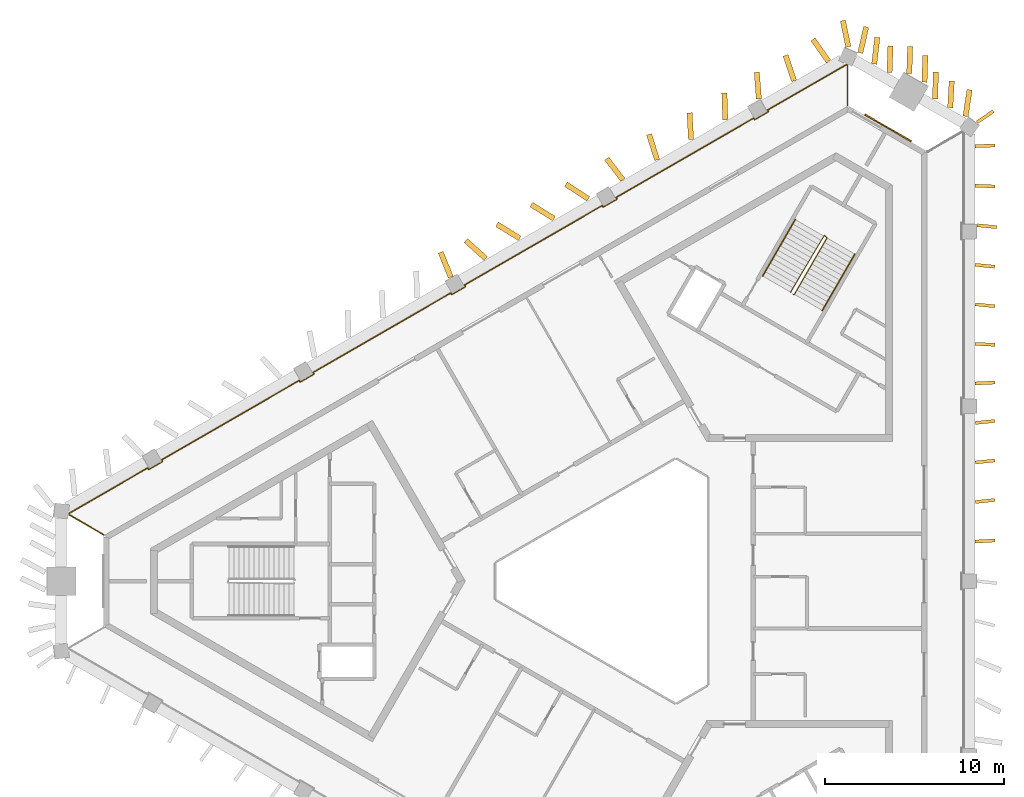
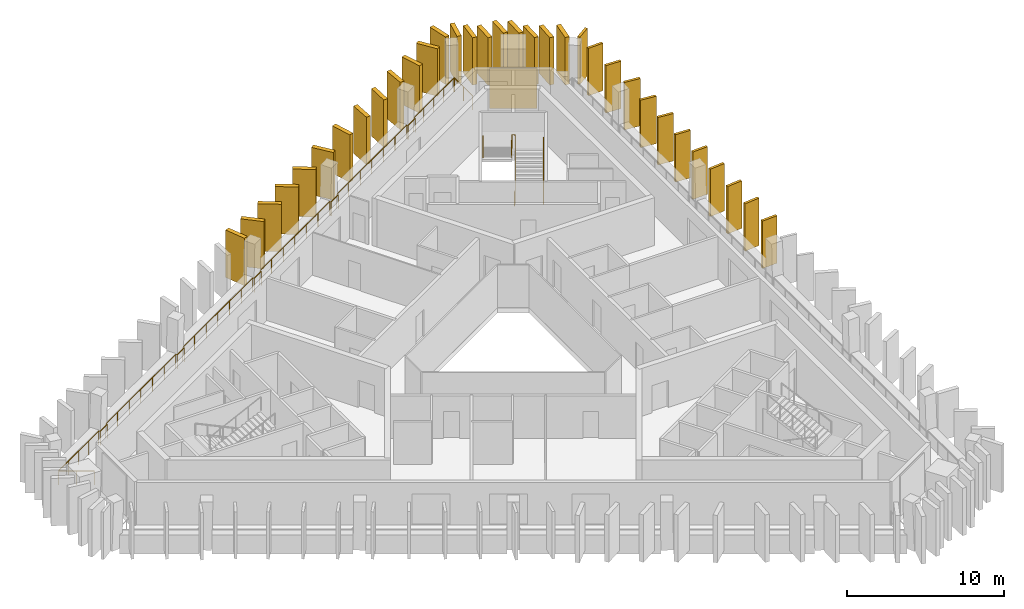
# One storey, part 9 of 9: 33 shading devices, 4 railings, 1 covering.
"""IFC4 building model written with IfcOpenShell, lengths in metres."""

from ifc_helpers import new_model, si_unit, direction, frame, frame_2d, origin, origin_2d, place, context, subcontext, project, spatial, rectangle, circle, extrude, material, layer, layer_set, type_object, element, save


model = new_model("IFC4")

# Units and contexts
model_context = context("Model", 3, precision=1e-05, world=origin(), true_north=direction((0.0, 1.0)))
body_context = subcontext(model_context, "Body", "Model", "MODEL_VIEW")
ifc_project = project(units=[si_unit("LENGTHUNIT", "METRE"), si_unit("AREAUNIT", "SQUARE_METRE"), si_unit("VOLUMEUNIT", "CUBIC_METRE"), si_unit("PLANEANGLEUNIT", "RADIAN"), si_unit("MASSUNIT", "GRAM", prefix="KILO")], contexts=[model_context])

# Site, building, storey
site_placement = place(None, origin())
site = spatial("IfcSite", under=ifc_project, at=site_placement, CompositionType="ELEMENT")
building_placement = place(site_placement, origin())
building = spatial("IfcBuilding", under=site, at=building_placement, Name="Jabali Bay Hotel Tower and Convention Centre", CompositionType="ELEMENT")
storey_placement = place(building_placement, frame((0.0, 0.0, 270.10009765625)))
storey = spatial("IfcBuildingStorey", under=building, at=storey_placement, Name="L66", CompositionType="ELEMENT", Elevation=270.10009765625)

# Railing
ifc_material_1 = material(Name="Glass", Category="glass")
railing_type_1 = type_object("IfcRailingType", Name="Loggia glass guard 1100", PredefinedType="BALUSTRADE", material=ifc_material_1)
railing_1_placement = place(storey_placement, frame((45.787109375, 82.59375, 0.0)))
element("IfcRailing", 1, at=railing_1_placement, inside=storey, type_object=railing_type_1, Name="Loggia glass guard L66", PredefinedType="BALUSTRADE", context=body_context, shape_type="SweptSolid", body=[
    extrude(circle(Radius=0.02490234375, at=origin_2d()), frame((0.0, 0.0, 1.0751953125), z_axis=(-0.866035472144, 0.499982560684, 0.0), x_axis=(-0.495705140567, -0.858626418625, 0.13052619222)), (0.0, 0.0, 1.0), 2.27490234375),
    extrude(circle(Radius=0.02490234375, at=origin_2d()), frame((-1.97021484375, 1.137451171875, 1.0751953125), z_axis=(0.124034734589, 0.992277876714, 0.0), x_axis=(-0.983788801923, 0.12297360024, 0.13052619222)), (0.0, 0.0, 1.0), 0.037353515625),
    extrude(circle(Radius=0.02490234375, at=origin_2d()), frame((-1.965576171875, 1.174560546875, 1.0751953125), z_axis=(0.866016854026, 0.500014808323, 0.0), x_axis=(-0.495737112323, 0.858607959787, 0.13052619222)), (0.0, 0.0, 1.0), 5.108154296875),
    extrude(circle(Radius=0.02490234375, at=origin_2d()), frame((2.458251953125, 3.728759765625, 1.0751953125), z_axis=(0.500074377092, -0.865982457891, 0.0), x_axis=(0.858573857916, 0.495796171473, 0.13052619222)), (0.0, 0.0, 1.0), 0.10009765625),
    extrude(circle(Radius=0.02490234375, at=origin_2d()), frame((2.50830078125, 3.64208984375, 1.0751953125), z_axis=(0.866081705922, 0.499902469156, 0.0), x_axis=(-0.495625734232, 0.858672256866, 0.13052619222)), (0.0, 0.0, 1.0), 0.900146484375),
    extrude(circle(Radius=0.02490234375, at=origin_2d()), frame((3.287841796875, 4.092041015625, 1.0751953125), z_axis=(-0.500074377092, 0.865982457891, 0.0), x_axis=(-0.858573857916, -0.495796171473, 0.13052619222)), (0.0, 0.0, 1.0), 0.10009765625),
    extrude(circle(Radius=0.02490234375, at=origin_2d()), frame((3.23779296875, 4.1787109375, 1.0751953125), z_axis=(0.866023039612, 0.500004094845, 0.0), x_axis=(-0.4957264905, 0.858614092454, 0.13052619222)), (0.0, 0.0, 1.0), 8.87939453125),
    extrude(circle(Radius=0.02490234375, at=origin_2d()), frame((10.927490234375, 8.618408203125, 1.0751953125), z_axis=(0.500074377092, -0.865982457891, 0.0), x_axis=(0.858573857916, 0.495796171473, 0.13052619222)), (0.0, 0.0, 1.0), 0.10009765625),
    extrude(circle(Radius=0.02490234375, at=origin_2d()), frame((10.9775390625, 8.53173828125, 1.0751953125), z_axis=(0.866081705922, 0.499902469156, 0.0), x_axis=(-0.495625734232, 0.858672256866, 0.13052619222)), (0.0, 0.0, 1.0), 0.900146484375),
    extrude(circle(Radius=0.02490234375, at=origin_2d()), frame((11.757080078125, 8.981689453125, 1.0751953125), z_axis=(-0.500074377092, 0.865982457891, 0.0), x_axis=(-0.858573857916, -0.495796171473, 0.13052619222)), (0.0, 0.0, 1.0), 0.10009765625),
    extrude(circle(Radius=0.02490234375, at=origin_2d()), frame((11.70703125, 9.068359375, 1.0751953125), z_axis=(0.866029913332, 0.499992189153, 0.0), x_axis=(-0.495714686663, 0.858620907369, 0.13052619222)), (0.0, 0.0, 1.0), 8.879638671875),
    extrude(circle(Radius=0.02490234375, at=origin_2d()), frame((19.39697265625, 13.508056640625, 1.0751953125), z_axis=(0.499298623879, -0.866429964967, 0.0), x_axis=(0.859017536507, 0.495027054936, 0.13052619222)), (0.0, 0.0, 1.0), 0.099853515625),
    extrude(circle(Radius=0.02490234375, at=origin_2d()), frame((19.44677734375, 13.421630859375, 1.0751953125), z_axis=(0.866081705922, 0.499902469156, 0.0), x_axis=(-0.495625734232, 0.858672256866, 0.13052619222)), (0.0, 0.0, 1.0), 0.900146484375),
    extrude(circle(Radius=0.02490234375, at=origin_2d()), frame((20.226318359375, 13.87158203125, 1.0751953125), z_axis=(-0.501132629342, 0.865370491644, 0.0), x_axis=(-0.857967127125, -0.496845370228, 0.13052619222)), (0.0, 0.0, 1.0), 0.099853515625),
    extrude(circle(Radius=0.02490234375, at=origin_2d()), frame((20.17626953125, 13.9580078125, 1.0751953125), z_axis=(0.866018007794, 0.500012810012, 0.0), x_axis=(-0.495735131107, 0.858609103685, 0.13052619222)), (0.0, 0.0, 1.0), 8.879638671875),
    extrude(circle(Radius=0.02490234375, at=origin_2d()), frame((27.8662109375, 18.39794921875, 1.0751953125), z_axis=(0.4982416694, -0.867038199201, 0.0), x_axis=(0.859620567213, 0.493979142849, 0.13052619222)), (0.0, 0.0, 1.0), 0.099853515625),
    extrude(circle(Radius=0.02490234375, at=origin_2d()), frame((27.916015625, 18.311279296875, 1.0751953125), z_axis=(0.866081705922, 0.499902469156, 0.0), x_axis=(-0.495625734232, 0.858672256866, 0.13052619222)), (0.0, 0.0, 1.0), 0.900146484375),
    extrude(circle(Radius=0.02490234375, at=origin_2d()), frame((28.695556640625, 18.76123046875, 1.0751953125), z_axis=(-0.500074377092, 0.865982457891, 0.0), x_axis=(-0.858573857916, -0.495796171473, 0.13052619222)), (0.0, 0.0, 1.0), 0.10009765625),
    extrude(circle(Radius=0.02490234375, at=origin_2d()), frame((28.6455078125, 18.847900390625, 1.0751953125), z_axis=(0.866029913332, 0.499992189153, 0.0), x_axis=(-0.495714686663, 0.858620907369, 0.13052619222)), (0.0, 0.0, 1.0), 8.879638671875),
    extrude(circle(Radius=0.02490234375, at=origin_2d()), frame((36.33544921875, 23.28759765625, 1.0751953125), z_axis=(0.500074377092, -0.865982457891, 0.0), x_axis=(0.858573857916, 0.495796171473, 0.13052619222)), (0.0, 0.0, 1.0), 0.10009765625),
    extrude(circle(Radius=0.02490234375, at=origin_2d()), frame((36.385498046875, 23.200927734375, 1.0751953125), z_axis=(0.866013897511, 0.50001992892, 0.0), x_axis=(-0.495742189112, 0.858605028566, 0.13052619222)), (0.0, 0.0, 1.0), 0.89990234375),
    extrude(circle(Radius=0.02490234375, at=origin_2d()), frame((37.164794921875, 23.65087890625, 1.0751953125), z_axis=(-0.500074377092, 0.865982457891, 0.0), x_axis=(-0.858573857916, -0.495796171473, 0.13052619222)), (0.0, 0.0, 1.0), 0.10009765625),
    extrude(circle(Radius=0.02490234375, at=origin_2d()), frame((37.11474609375, 23.737548828125, 1.0751953125), z_axis=(0.866028802348, 0.499994113469, 0.0), x_axis=(-0.495716594516, 0.85861980589, 0.13052619222)), (0.0, 0.0, 1.0), 5.1083984375),
    extrude(circle(Radius=0.02490234375, at=origin_2d()), frame((41.538818359375, 26.291748046875, 1.0751953125), z_axis=(0.920154635629, -0.391555164097, 0.0), x_axis=(0.388205355389, 0.912282585163, 0.13052619222)), (0.0, 0.0, 1.0), 0.037353515625),
    extrude(circle(Radius=0.02490234375, at=origin_2d()), frame((41.5732421875, 26.277099609375, 1.0751953125), z_axis=(0.0, -1.0, 0.0), x_axis=(0.991444861374, 0.0, 0.13052619222)), (0.0, 0.0, 1.0), 2.27490234375),
    extrude(circle(Radius=0.02001953125, at=origin_2d()), origin(), (0.0, 0.0, 1.0), 1.050048828125),
    extrude(circle(Radius=0.02001953125, at=origin_2d()), frame((-0.985107421875, 0.56884765625, 0.0)), (0.0, 0.0, 1.0), 1.050048828125),
    extrude(circle(Radius=0.02001953125, at=origin_2d()), frame((-1.97021484375, 1.137451171875, 0.0)), (0.0, 0.0, 1.0), 1.050048828125),
    extrude(circle(Radius=0.02001953125, at=origin_2d()), frame((-1.965576171875, 1.174560546875, 0.0)), (0.0, 0.0, 1.0), 1.050048828125),
    extrude(circle(Radius=0.02001953125, at=origin_2d()), frame((-0.859619140625, 1.81298828125, 0.0)), (0.0, 0.0, 1.0), 1.050048828125),
    extrude(circle(Radius=0.02001953125, at=origin_2d()), frame((0.246337890625, 2.45166015625, 0.0)), (0.0, 0.0, 1.0), 1.050048828125),
    extrude(circle(Radius=0.02001953125, at=origin_2d()), frame((1.352294921875, 3.09033203125, 0.0)), (0.0, 0.0, 1.0), 1.050048828125),
    extrude(circle(Radius=0.02001953125, at=origin_2d()), frame((2.458251953125, 3.728759765625, 0.0)), (0.0, 0.0, 1.0), 1.050048828125),
    extrude(circle(Radius=0.02001953125, at=origin_2d()), frame((2.50830078125, 3.64208984375, 0.0)), (0.0, 0.0, 1.0), 1.050048828125),
    extrude(circle(Radius=0.02001953125, at=origin_2d()), frame((3.287841796875, 4.092041015625, 0.0)), (0.0, 0.0, 1.0), 1.050048828125),
    extrude(circle(Radius=0.02001953125, at=origin_2d()), frame((3.23779296875, 4.1787109375, 0.0)), (0.0, 0.0, 1.0), 1.050048828125),
    extrude(circle(Radius=0.02001953125, at=origin_2d()), frame((4.51953125, 4.918701171875, 0.0)), (0.0, 0.0, 1.0), 1.050048828125),
    extrude(circle(Radius=0.02001953125, at=origin_2d()), frame((5.801025390625, 5.65869140625, 0.0)), (0.0, 0.0, 1.0), 1.050048828125),
    extrude(circle(Radius=0.02001953125, at=origin_2d()), frame((7.08251953125, 6.3984375, 0.0)), (0.0, 0.0, 1.0), 1.050048828125),
    extrude(circle(Radius=0.02001953125, at=origin_2d()), frame((8.3642578125, 7.138427734375, 0.0)), (0.0, 0.0, 1.0), 1.050048828125),
    extrude(circle(Radius=0.02001953125, at=origin_2d()), frame((9.64599609375, 7.87841796875, 0.0)), (0.0, 0.0, 1.0), 1.050048828125),
    extrude(circle(Radius=0.02001953125, at=origin_2d()), frame((10.927490234375, 8.618408203125, 0.0)), (0.0, 0.0, 1.0), 1.050048828125),
    extrude(circle(Radius=0.02001953125, at=origin_2d()), frame((10.9775390625, 8.53173828125, 0.0)), (0.0, 0.0, 1.0), 1.050048828125),
    extrude(circle(Radius=0.02001953125, at=origin_2d()), frame((11.757080078125, 8.981689453125, 0.0)), (0.0, 0.0, 1.0), 1.050048828125),
    extrude(circle(Radius=0.02001953125, at=origin_2d()), frame((11.70703125, 9.068359375, 0.0)), (0.0, 0.0, 1.0), 1.050048828125),
    extrude(circle(Radius=0.02001953125, at=origin_2d()), frame((12.98876953125, 9.808349609375, 0.0)), (0.0, 0.0, 1.0), 1.050048828125),
    extrude(circle(Radius=0.02001953125, at=origin_2d()), frame((14.270263671875, 10.54833984375, 0.0)), (0.0, 0.0, 1.0), 1.050048828125),
    extrude(circle(Radius=0.02001953125, at=origin_2d()), frame((15.552001953125, 11.2880859375, 0.0)), (0.0, 0.0, 1.0), 1.050048828125),
    extrude(circle(Radius=0.02001953125, at=origin_2d()), frame((16.833740234375, 12.028076171875, 0.0)), (0.0, 0.0, 1.0), 1.050048828125),
    extrude(circle(Radius=0.02001953125, at=origin_2d()), frame((18.115234375, 12.76806640625, 0.0)), (0.0, 0.0, 1.0), 1.050048828125),
    extrude(circle(Radius=0.02001953125, at=origin_2d()), frame((19.39697265625, 13.508056640625, 0.0)), (0.0, 0.0, 1.0), 1.050048828125),
    extrude(circle(Radius=0.02001953125, at=origin_2d()), frame((19.44677734375, 13.421630859375, 0.0)), (0.0, 0.0, 1.0), 1.050048828125),
    extrude(circle(Radius=0.02001953125, at=origin_2d()), frame((20.226318359375, 13.87158203125, 0.0)), (0.0, 0.0, 1.0), 1.050048828125),
    extrude(circle(Radius=0.02001953125, at=origin_2d()), frame((20.17626953125, 13.9580078125, 0.0)), (0.0, 0.0, 1.0), 1.050048828125),
    extrude(circle(Radius=0.02001953125, at=origin_2d()), frame((21.4580078125, 14.697998046875, 0.0)), (0.0, 0.0, 1.0), 1.050048828125),
    extrude(circle(Radius=0.02001953125, at=origin_2d()), frame((22.739501953125, 15.43798828125, 0.0)), (0.0, 0.0, 1.0), 1.050048828125),
    extrude(circle(Radius=0.02001953125, at=origin_2d()), frame((24.021240234375, 16.177978515625, 0.0)), (0.0, 0.0, 1.0), 1.050048828125),
    extrude(circle(Radius=0.02001953125, at=origin_2d()), frame((25.302978515625, 16.91796875, 0.0)), (0.0, 0.0, 1.0), 1.050048828125),
    extrude(circle(Radius=0.02001953125, at=origin_2d()), frame((26.58447265625, 17.657958984375, 0.0)), (0.0, 0.0, 1.0), 1.050048828125),
    extrude(circle(Radius=0.02001953125, at=origin_2d()), frame((27.8662109375, 18.39794921875, 0.0)), (0.0, 0.0, 1.0), 1.050048828125),
    extrude(circle(Radius=0.02001953125, at=origin_2d()), frame((27.916015625, 18.311279296875, 0.0)), (0.0, 0.0, 1.0), 1.050048828125),
    extrude(circle(Radius=0.02001953125, at=origin_2d()), frame((28.695556640625, 18.76123046875, 0.0)), (0.0, 0.0, 1.0), 1.050048828125),
    extrude(circle(Radius=0.02001953125, at=origin_2d()), frame((28.6455078125, 18.847900390625, 0.0)), (0.0, 0.0, 1.0), 1.050048828125),
    extrude(circle(Radius=0.02001953125, at=origin_2d()), frame((29.92724609375, 19.587890625, 0.0)), (0.0, 0.0, 1.0), 1.050048828125),
    extrude(circle(Radius=0.02001953125, at=origin_2d()), frame((31.208740234375, 20.327880859375, 0.0)), (0.0, 0.0, 1.0), 1.050048828125),
    extrude(circle(Radius=0.02001953125, at=origin_2d()), frame((32.490478515625, 21.06787109375, 0.0)), (0.0, 0.0, 1.0), 1.050048828125),
    extrude(circle(Radius=0.02001953125, at=origin_2d()), frame((33.772216796875, 21.8076171875, 0.0)), (0.0, 0.0, 1.0), 1.050048828125),
    extrude(circle(Radius=0.02001953125, at=origin_2d()), frame((35.0537109375, 22.547607421875, 0.0)), (0.0, 0.0, 1.0), 1.050048828125),
    extrude(circle(Radius=0.02001953125, at=origin_2d()), frame((36.33544921875, 23.28759765625, 0.0)), (0.0, 0.0, 1.0), 1.050048828125),
    extrude(circle(Radius=0.02001953125, at=origin_2d()), frame((36.385498046875, 23.200927734375, 0.0)), (0.0, 0.0, 1.0), 1.050048828125),
    extrude(circle(Radius=0.02001953125, at=origin_2d()), frame((37.164794921875, 23.65087890625, 0.0)), (0.0, 0.0, 1.0), 1.050048828125),
    extrude(circle(Radius=0.02001953125, at=origin_2d()), frame((37.11474609375, 23.737548828125, 0.0)), (0.0, 0.0, 1.0), 1.050048828125),
    extrude(circle(Radius=0.02001953125, at=origin_2d()), frame((38.220703125, 24.3759765625, 0.0)), (0.0, 0.0, 1.0), 1.050048828125),
    extrude(circle(Radius=0.02001953125, at=origin_2d()), frame((39.32666015625, 25.0146484375, 0.0)), (0.0, 0.0, 1.0), 1.050048828125),
    extrude(circle(Radius=0.02001953125, at=origin_2d()), frame((40.432861328125, 25.6533203125, 0.0)), (0.0, 0.0, 1.0), 1.050048828125),
    extrude(circle(Radius=0.02001953125, at=origin_2d()), frame((41.538818359375, 26.291748046875, 0.0)), (0.0, 0.0, 1.0), 1.050048828125),
    extrude(circle(Radius=0.02001953125, at=origin_2d()), frame((41.5732421875, 26.277099609375, 0.0)), (0.0, 0.0, 1.0), 1.050048828125),
    extrude(circle(Radius=0.02001953125, at=origin_2d()), frame((41.5732421875, 25.1396484375, 0.0)), (0.0, 0.0, 1.0), 1.050048828125),
    extrude(circle(Radius=0.02001953125, at=origin_2d()), frame((41.5732421875, 24.002197265625, 0.0)), (0.0, 0.0, 1.0), 1.050048828125),
])

# Shading devices
ifc_material_2 = material(Name="Precast concrete C60", Category="concrete")
ifc_layer_1 = layer(ifc_material_2, 0.179931640625)
ifc_layer_set_1 = layer_set([ifc_layer_1], Name="Precast concrete C60")
shading_device_type_1 = type_object("IfcShadingDeviceType", Name="Precast fin 3680 x 1100", PredefinedType="USERDEFINED", material=ifc_layer_set_1)
for number, where, z_axis, x_axis, name in (
    (2, (94.5, 82.210205078125, 0.010009765625), (0.0, 0.0, 1.0), (0.99843498447, 0.055924786861, 0.0), "Fin L66 012"),
    (3, (94.50439453125, 84.42041015625, 0.010009765625), (0.0, 0.0, 1.0), (0.994544300928, 0.104315068386, 0.0), "Fin L66 013"),
    (4, (94.504150390625, 86.63037109375, 0.010009765625), (0.0, 0.0, 1.0), (0.994888883713, 0.100975784539, 0.0), "Fin L66 014"),
    (5, (94.50390625, 88.840576171875, 0.010009765625), (0.0, 0.0, 1.0), (0.995023998976, 0.099635543162, 0.0), "Fin L66 015"),
):
    element("IfcShadingDevice", number, at=place(storey_placement, frame(where, z_axis=z_axis, x_axis=x_axis)), inside=storey, type_object=shading_device_type_1, Name=name, ObjectType="FIN", PredefinedType="USERDEFINED", context=body_context, shape_type="SweptSolid", body=[
        extrude(rectangle(XDim=1.10009765625, YDim=0.179931640625, at=frame_2d((0.550048828125, 0.0))), origin(), (0.0, 0.0, 1.0), 3.679931640625),
    ])
shading_device_1_placement = place(storey_placement, frame((94.4990234375, 91.05078125, 0.010009765625), z_axis=(0.0, 0.0, 1.0), x_axis=(0.999014243981, 0.044390768451, 0.0)))
element("IfcShadingDevice", 6, at=shading_device_1_placement, inside=storey, type_object=shading_device_type_1, Name="Fin L66 016", ObjectType="FIN", PredefinedType="USERDEFINED", context=body_context, shape_type="SweptSolid", body=[
    extrude(rectangle(XDim=1.099853515625, YDim=0.179931640625, at=frame_2d((0.5498046875, 0.0))), origin(), (0.0, 0.0, 1.0), 3.679931640625),
])
for number, where, z_axis, x_axis, name in (
    (7, (94.499267578125, 93.260986328125, 0.010009765625), (0.0, 0.0, 1.0), (0.998839847281, -0.048155575841, 0.0), "Fin L66 017"),
    (8, (94.50390625, 95.47119140625, 0.010009765625), (0.0, 0.0, 1.0), (0.995089783967, -0.098976370127, 0.0), "Fin L66 018"),
    (9, (94.50390625, 97.68115234375, 0.010009765625), (0.0, 0.0, 1.0), (0.995089783967, -0.098976370127, 0.0), "Fin L66 019"),
):
    element("IfcShadingDevice", number, at=place(storey_placement, frame(where, z_axis=z_axis, x_axis=x_axis)), inside=storey, type_object=shading_device_type_1, Name=name, ObjectType="FIN", PredefinedType="USERDEFINED", context=body_context, shape_type="SweptSolid", body=[
        extrude(rectangle(XDim=1.10009765625, YDim=0.179931640625, at=frame_2d((0.550048828125, 0.0))), origin(), (0.0, 0.0, 1.0), 3.679931640625),
    ])
shading_device_2_placement = place(storey_placement, frame((94.611572265625, 99.891357421875, 0.010009765625), z_axis=(0.0, 0.0, 1.0), x_axis=(0.995021795338, -0.099657547648, 0.0)))
element("IfcShadingDevice", 10, at=shading_device_2_placement, inside=storey, type_object=shading_device_type_1, Name="Fin L66 020", ObjectType="FIN", PredefinedType="USERDEFINED", context=body_context, shape_type="SweptSolid", body=[
    extrude(rectangle(XDim=1.099853515625, YDim=0.179931640625, at=frame_2d((0.5498046875, 0.0))), origin(), (0.0, 0.0, 1.0), 3.679931640625),
])
for number, where, z_axis, x_axis, name in (
    (11, (94.498779296875, 102.1015625, 0.010009765625), (0.0, 0.0, 1.0), (0.999192783426, -0.0401719, 0.0), "Fin L66 021"),
    (12, (94.498046875, 104.311767578125, 0.010009765625), (0.0, 0.0, 1.0), (0.999400451115, 0.034622800438, 0.0), "Fin L66 022"),
    (13, (94.60595703125, 105.649658203125, 0.010009765625), (0.0, 0.0, 1.0), (0.828516612956, 0.559964482852, 0.0), "Fin L66 094"),
):
    element("IfcShadingDevice", number, at=place(storey_placement, frame(where, z_axis=z_axis, x_axis=x_axis)), inside=storey, type_object=shading_device_type_1, Name=name, ObjectType="FIN", PredefinedType="USERDEFINED", context=body_context, shape_type="SweptSolid", body=[
        extrude(rectangle(XDim=1.10009765625, YDim=0.179931640625, at=frame_2d((0.550048828125, 0.0))), origin(), (0.0, 0.0, 1.0), 3.679931640625),
    ])
ifc_layer_2 = layer(ifc_material_2, 0.300048828125)
ifc_layer_set_2 = layer_set([ifc_layer_2], Name="Precast concrete C60")
shading_device_type_2 = type_object("IfcShadingDeviceType", Name="Precast fin 3680 x 1500", PredefinedType="USERDEFINED", material=ifc_layer_set_2)
for number, where, z_axis, x_axis, name in (
    (14, (93.96240234375, 105.98095703125, 0.010009765625), (0.0, 0.0, 1.0), (0.149414828402, 0.988774599721, 0.0), "Fin L66 023"),
    (15, (93.106201171875, 106.458984375, 0.010009765625), (0.0, 0.0, 1.0), (0.056317389806, 0.998412916386, 0.0), "Fin L66 024"),
    (16, (92.2587890625, 106.9521484375, 0.010009765625), (0.0, 0.0, 1.0), (0.030924788426, 0.999521714352, 0.0), "Fin L66 025"),
    (17, (91.666259765625, 107.88623046875, 0.010009765625), (0.0, 0.0, 1.0), (0.030924788426, 0.999521714352, 0.0), "Fin L66 026"),
    (18, (90.817138671875, 108.37646484375, 0.010009765625), (0.0, 0.0, 1.0), (0.030924788426, 0.999521714352, 0.0), "Fin L66 027"),
    (19, (89.71142578125, 108.422119140625, 0.010009765625), (0.0, 0.0, 1.0), (0.035970192634, 0.999352863228, 0.0), "Fin L66 028"),
    (20, (88.85693359375, 108.903076171875, 0.010009765625), (0.0, 0.0, 1.0), (0.115075086819, 0.993356796118, 0.0), "Fin L66 029"),
    (21, (88.080078125, 109.518310546875, 0.010009765625), (0.0, 0.0, 1.0), (0.218102193889, 0.975925936237, 0.0), "Fin L66 030"),
    (22, (86.30029296875, 109.05078125, 0.010009765625), (0.0, 0.0, 1.0), (-0.575372446457, 0.817891525728, 0.0), "Fin L66 031"),
    (23, (84.3779296875, 107.960205078125, 0.010009765625), (0.0, 0.0, 1.0), (-0.31510449639, 0.94905698267, 0.0), "Fin L66 032"),
    (24, (82.4091796875, 106.94970703125, 0.010009765625), (0.0, 0.0, 1.0), (-0.077144538348, 0.997019919662, 0.0), "Fin L66 033"),
    (25, (80.529541015625, 105.78515625, 0.010009765625), (0.0, 0.0, 1.0), (-0.031412596484, 0.999506502621, 0.0), "Fin L66 034"),
    (26, (78.616943359375, 104.677490234375, 0.010009765625), (0.0, 0.0, 1.0), (-0.053712083646, 0.998556464137, 0.0), "Fin L66 035"),
    (27, (76.720458984375, 103.5419921875, 0.010009765625), (0.0, 0.0, 1.0), (-0.298988501359, 0.954256713917, 0.0), "Fin L66 036"),
    (28, (74.81298828125, 102.425537109375, 0.010009765625), (0.0, 0.0, 1.0), (-0.608120530727, 0.793844707804, 0.0), "Fin L66 037"),
    (29, (72.875244140625, 101.361572265625, 0.010009765625), (0.0, 0.0, 1.0), (-0.834570497382, 0.550901157105, 0.0), "Fin L66 038"),
):
    element("IfcShadingDevice", number, at=place(storey_placement, frame(where, z_axis=z_axis, x_axis=x_axis)), inside=storey, type_object=shading_device_type_2, Name=name, ObjectType="FIN", PredefinedType="USERDEFINED", context=body_context, shape_type="SweptSolid", body=[
        extrude(rectangle(XDim=1.5, YDim=0.300048828125, at=frame_2d((0.75, 0.0))), origin(), (0.0, 0.0, 1.0), 3.679931640625),
    ])
for number, where, z_axis, x_axis, name in (
    (30, (70.959228515625, 100.259765625, 0.010009765625), (0.0, 0.0, 1.0), (-0.850185364679, 0.526483471427, 0.0), "Fin L66 039"),
    (31, (69.045166015625, 99.15478515625, 0.010009765625), (0.0, 0.0, 1.0), (-0.850185364679, 0.526483471427, 0.0), "Fin L66 040"),
):
    element("IfcShadingDevice", number, at=place(storey_placement, frame(where, z_axis=z_axis, x_axis=x_axis)), inside=storey, type_object=shading_device_type_2, Name=name, ObjectType="FIN", PredefinedType="USERDEFINED", context=body_context, shape_type="SweptSolid", body=[
        extrude(rectangle(XDim=1.500244140625, YDim=0.300048828125, at=frame_2d((0.75, 0.0))), origin(), (0.0, 0.0, 1.0), 3.679931640625),
    ])
for number, where, z_axis, x_axis, name in (
    (32, (67.1435546875, 98.0283203125, 0.010009765625), (0.0, 0.0, 1.0), (-0.742468138242, 0.669881380317, 0.0), "Fin L66 041"),
    (33, (65.1884765625, 96.993896484375, 0.010009765625), (0.0, 0.0, 1.0), (-0.378284225569, 0.925689496908, 0.0), "Fin L66 042"),
    (34, (87.410400390625, 109.865234375, 0.010009765625), (0.0, 0.0, 1.0), (-0.204591174319, 0.978847511817, 0.0), "Fin L66 095"),
):
    element("IfcShadingDevice", number, at=place(storey_placement, frame(where, z_axis=z_axis, x_axis=x_axis)), inside=storey, type_object=shading_device_type_2, Name=name, ObjectType="FIN", PredefinedType="USERDEFINED", context=body_context, shape_type="SweptSolid", body=[
        extrude(rectangle(XDim=1.5, YDim=0.300048828125, at=frame_2d((0.75, 0.0))), origin(), (0.0, 0.0, 1.0), 3.679931640625),
    ])

# Covering
ifc_material_3 = material(Name="Precast concrete C40/50", Category="concrete")
ifc_layer_3 = layer(ifc_material_3, 0.080078125)
ifc_layer_set_3 = layer_set([ifc_layer_3], Name="Precast concrete C40/50")
covering_type = type_object("IfcCoveringType", Name="Relief panel 3000 x 3100", PredefinedType="CLADDING", material=ifc_layer_set_3)
covering_placement = place(storey_placement, frame((89.62646484375, 105.333740234375, 0.099853515625), z_axis=(0.0, 0.0, 1.0), x_axis=(0.866025484838, -0.499999859612, 0.0)))
element("IfcCovering", 35, at=covering_placement, inside=storey, type_object=covering_type, Name="Relief panel L66", PredefinedType="CLADDING", context=body_context, shape_type="SweptSolid", body=[
    extrude(rectangle(XDim=3.0, YDim=0.080078125, at=origin_2d()), origin(), (0.0, 0.0, 1.0), 3.10009765625),
])

# Railings
ifc_material_4 = material(Name="Steel Q355B", Category="steel")
railing_type_2 = type_object("IfcRailingType", Name="Stair guard 1100", PredefinedType="GUARDRAIL", material=ifc_material_4)
railing_2_placement = place(storey_placement, frame((84.329833984375, 96.010009765625, 0.0)))
element("IfcRailing", 36, at=railing_2_placement, inside=storey, type_object=railing_type_2, Name="L66 ST2 stair guard 1", PredefinedType="GUARDRAIL", context=body_context, shape_type="SweptSolid", body=[
    extrude(circle(Radius=0.02392578125, at=origin_2d()), frame((0.0, 0.0, 1.076171875), z_axis=(0.456201556387, 0.122196845461, 0.881446578591), x_axis=(-0.258736085224, 0.965948051503, 0.0)), (0.0, 0.0, 1.0), 0.14990234375),
    extrude(circle(Radius=0.02392578125, at=origin_2d()), frame((0.068359375, 0.018310546875, 1.2080078125), z_axis=(0.452190331055, 0.783190014029, 0.426775475427), x_axis=(-0.866018046521, 0.500012742938, 0.0)), (0.0, 0.0, 1.0), 4.02490234375),
    extrude(circle(Radius=0.02392578125, at=origin_2d()), frame((1.888427734375, 3.170654296875, 2.92578125), z_axis=(-0.718850276695, 0.695164929852, 0.0), x_axis=(-0.695164929852, -0.718850276695, 0.0)), (0.0, 0.0, 1.0), 0.2060546875),
    extrude(circle(Radius=0.02392578125, at=origin_2d()), frame((1.740234375, 3.31396484375, 2.92578125), z_axis=(-0.457445338502, -0.768046879266, 0.448160410493), x_axis=(0.859157857954, -0.511710636118, 0.0)), (0.0, 0.0, 1.0), 4.128173828125),
    extrude(circle(Radius=0.02099609375, at=origin_2d()), origin(), (0.0, 0.0, 1.0), 1.052001953125),
    extrude(circle(Radius=0.02099609375, at=origin_2d()), frame((0.068359375, 0.018310546875, 0.132080078125)), (0.0, 0.0, 1.0), 1.052001953125),
    extrude(circle(Radius=0.02099609375, at=origin_2d()), frame((0.5234375, 0.806396484375, 0.5615234375)), (0.0, 0.0, 1.0), 1.052001953125),
    extrude(circle(Radius=0.02099609375, at=origin_2d()), frame((0.978515625, 1.594482421875, 0.990966796875)), (0.0, 0.0, 1.0), 1.052001953125),
    extrude(circle(Radius=0.02099609375, at=origin_2d()), frame((1.433349609375, 2.382568359375, 1.42041015625)), (0.0, 0.0, 1.0), 1.052001953125),
    extrude(circle(Radius=0.02099609375, at=origin_2d()), frame((1.888427734375, 3.170654296875, 1.849853515625)), (0.0, 0.0, 1.0), 1.052001953125),
    extrude(circle(Radius=0.02099609375, at=origin_2d()), frame((1.740234375, 3.31396484375, 1.849853515625)), (0.0, 0.0, 1.0), 1.052001953125),
    extrude(circle(Radius=0.02099609375, at=origin_2d()), frame((1.26806640625, 2.521240234375, 2.3125)), (0.0, 0.0, 1.0), 1.052001953125),
    extrude(circle(Radius=0.02099609375, at=origin_2d()), frame((0.7958984375, 1.728515625, 2.77490234375)), (0.0, 0.0, 1.0), 1.052001953125),
    extrude(circle(Radius=0.02099609375, at=origin_2d()), frame((0.323974609375, 0.93603515625, 3.2373046875)), (0.0, 0.0, 1.0), 1.052001953125),
    extrude(circle(Radius=0.02099609375, at=origin_2d()), frame((-0.148193359375, 0.143310546875, 3.699951171875)), (0.0, 0.0, 1.0), 1.052001953125),
])
railing_type_3 = type_object("IfcRailingType", Name="Stair handrail 900", PredefinedType="HANDRAIL", material=ifc_material_4)
railing_3_placement = place(storey_placement, frame((85.95703125, 95.128173828125, 0.132080078125)))
element("IfcRailing", 37, at=railing_3_placement, inside=storey, type_object=railing_type_3, Name="L66 ST2 stair handrail 1", PredefinedType="HANDRAIL", context=body_context, shape_type="SweptSolid", body=[
    extrude(circle(Radius=0.02392578125, at=origin_2d()), frame((0.0, 0.0, 0.8759765625), z_axis=(0.452190331055, 0.783190014029, 0.426775475427), x_axis=(-0.866018046521, 0.500012742938, 0.0)), (0.0, 0.0, 1.0), 4.02490234375),
    extrude(circle(Radius=0.02099609375, at=origin_2d()), origin(), (0.0, 0.0, 1.0), 0.851806640625),
    extrude(circle(Radius=0.02099609375, at=origin_2d()), frame((0.455078125, 0.7880859375, 0.429443359375)), (0.0, 0.0, 1.0), 0.851806640625),
    extrude(circle(Radius=0.02099609375, at=origin_2d()), frame((0.91015625, 1.576171875, 0.85888671875)), (0.0, 0.0, 1.0), 0.851806640625),
    extrude(circle(Radius=0.02099609375, at=origin_2d()), frame((1.364990234375, 2.3642578125, 1.288330078125)), (0.0, 0.0, 1.0), 0.851806640625),
    extrude(circle(Radius=0.02099609375, at=origin_2d()), frame((1.820068359375, 3.15234375, 1.7177734375)), (0.0, 0.0, 1.0), 0.851806640625),
])
railing_4_placement = place(storey_placement, frame((84.44287109375, 100.20556640625, 1.98193359375)))
element("IfcRailing", 38, at=railing_4_placement, inside=storey, type_object=railing_type_3, Name="L66 ST2 stair handrail 2", PredefinedType="HANDRAIL", context=body_context, shape_type="SweptSolid", body=[
    extrude(circle(Radius=0.02392578125, at=origin_2d()), frame((0.0, 0.0, 0.8759765625), z_axis=(-0.45217862506, -0.783169739339, 0.426825081763), x_axis=(0.866018046521, -0.500012742938, 0.0)), (0.0, 0.0, 1.0), 4.025146484375),
    extrude(circle(Radius=0.02099609375, at=origin_2d()), origin(), (0.0, 0.0, 1.0), 0.851806640625),
    extrude(circle(Radius=0.02099609375, at=origin_2d()), frame((-0.455078125, -0.7880859375, 0.429443359375)), (0.0, 0.0, 1.0), 0.851806640625),
    extrude(circle(Radius=0.02099609375, at=origin_2d()), frame((-0.91015625, -1.576171875, 0.85888671875)), (0.0, 0.0, 1.0), 0.851806640625),
    extrude(circle(Radius=0.02099609375, at=origin_2d()), frame((-1.364990234375, -2.3642578125, 1.28857421875)), (0.0, 0.0, 1.0), 0.851806640625),
    extrude(circle(Radius=0.02099609375, at=origin_2d()), frame((-1.820068359375, -3.15234375, 1.718017578125)), (0.0, 0.0, 1.0), 0.851806640625),
])

save(model, "model.ifc")
